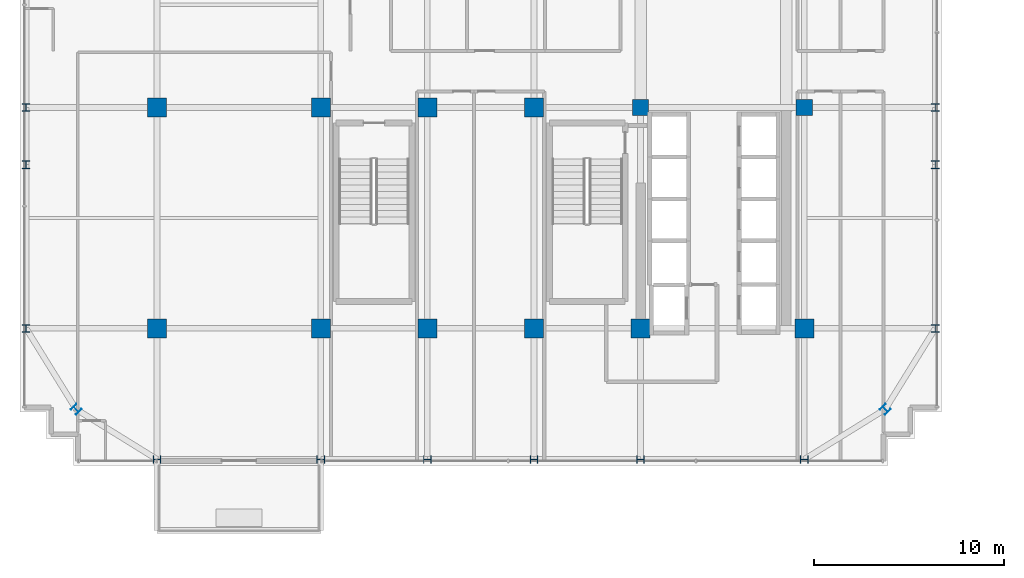
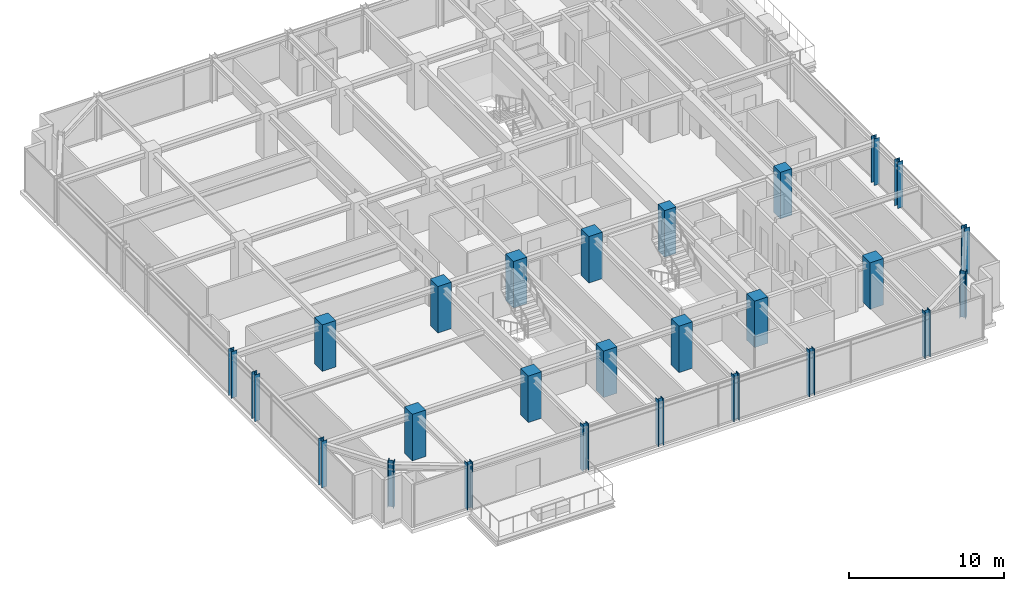
# One storey, part 1 of 36: 26 columns.
"""IFC4 building model written with IfcOpenShell, lengths in metres."""

from ifc_helpers import new_model, si_unit, direction, frame, origin, origin_2d, place, context, subcontext, project, spatial, rectangle, i_section, extrude, source, transform, mapped, material, material_profile, profile_set, type_object, element, save


model = new_model("IFC4")

# Units and contexts
model_context = context("Model", 3, precision=1e-05, world=origin(), true_north=direction((0.0, 1.0)))
body_context = subcontext(model_context, "Body", "Model", "MODEL_VIEW")
ifc_project = project(units=[si_unit("LENGTHUNIT", "METRE"), si_unit("AREAUNIT", "SQUARE_METRE"), si_unit("VOLUMEUNIT", "CUBIC_METRE"), si_unit("PLANEANGLEUNIT", "RADIAN"), si_unit("MASSUNIT", "GRAM", prefix="KILO")], contexts=[model_context])

# Site, building, storey
site_placement = place(None, origin())
site = spatial("IfcSite", under=ifc_project, at=site_placement, CompositionType="ELEMENT")
building_placement = place(site_placement, origin())
building = spatial("IfcBuilding", under=site, at=building_placement, Name="Nahalor Promenade Grand Hotel", CompositionType="ELEMENT")
storey_placement = place(building_placement, frame((0.0, 0.0, 223.39990234375)))
storey = spatial("IfcBuildingStorey", under=building, at=storey_placement, Name="L57", CompositionType="ELEMENT", Elevation=223.39990234375)

# Columns
ifc_material_1 = material(Name="Concrete B-60 (C50/60)", Category="concrete")
ifc_material_profile_1 = material_profile(ifc_material_1, rectangle(XDim=1.0, YDim=1.0, at=origin_2d()), Name="RC 1000x1000")
ifc_profile_set_1 = profile_set([ifc_material_profile_1], Name="Concrete B-60 (C50/60)")
column_type_1 = type_object("IfcColumnType", Name="Col-RC-1000", PredefinedType="COLUMN", material=ifc_profile_set_1)
shared_shape_1 = source(origin(), body_context, "Body", "SweptSolid", [
    extrude(rectangle(XDim=1.0, YDim=1.0, at=origin_2d()), origin(), (0.0, 0.0, 1.0), 3.655029296875),
])
for number, where, z_axis, x_axis, name in (
    (1, (-17.0, -17.0, 0.0), (0.0, 0.0, 1.0), (1.0, 0.0, 0.0), "COL-L57-I00"),
    (2, (-17.0, -5.39990234375, 0.0), (0.0, 0.0, 1.0), (1.0, 0.0, 0.0), "COL-L57-I01"),
    (3, (-8.39990234375, -17.0, 0.0), (0.0, 0.0, 1.0), (1.0, 0.0, 0.0), "COL-L57-I10"),
    (4, (-8.39990234375, -5.39990234375, 0.0), (0.0, 0.0, 1.0), (1.0, 0.0, 0.0), "COL-L57-I11"),
    (5, (-2.800048828125, -17.0, 0.0), (0.0, 0.0, 1.0), (1.0, 0.0, 0.0), "COL-L57-I20"),
    (6, (-2.800048828125, -5.39990234375, 0.0), (0.0, 0.0, 1.0), (1.0, 0.0, 0.0), "COL-L57-I21"),
    (7, (2.800048828125, -17.0, 0.0), (0.0, 0.0, 1.0), (1.0, 0.0, 0.0), "COL-L57-I30"),
    (8, (2.800048828125, -5.39990234375, 0.0), (0.0, 0.0, 1.0), (1.0, 0.0, 0.0), "COL-L57-I31"),
    (9, (8.39990234375, -17.0, 0.0), (0.0, 0.0, 1.0), (1.0, 0.0, 0.0), "COL-L57-I40"),
    (10, (17.0, -17.0, 0.0), (0.0, 0.0, 1.0), (1.0, 0.0, 0.0), "COL-L57-I50"),
):
    element("IfcColumn", number, at=place(storey_placement, frame(where, z_axis=z_axis, x_axis=x_axis)), inside=storey, type_object=column_type_1, Name=name, PredefinedType="COLUMN", context=body_context, shape_type="MappedRepresentation", body=[
        mapped(shared_shape_1, transform((0.0, 0.0, 0.0), scale=1.0)),
    ])
ifc_material_2 = material(Name="Concrete B-70 (C60/75)", Category="concrete")
ifc_material_profile_2 = material_profile(ifc_material_2, rectangle(XDim=0.85, YDim=0.85, at=origin_2d()), Name="RC 850x850")
ifc_profile_set_2 = profile_set([ifc_material_profile_2], Name="Concrete B-70 (C60/75)")
column_type_2 = type_object("IfcColumnType", Name="Col-Pilaster-850", PredefinedType="PILASTER", material=ifc_profile_set_2)
shared_shape_2 = source(origin(), body_context, "Body", "SweptSolid", [
    extrude(rectangle(XDim=0.85, YDim=0.85, at=origin_2d()), origin(), (0.0, 0.0, 1.0), 3.655029296875),
])
for number, where, z_axis, x_axis, name in (
    (11, (8.39990234375, -5.39990234375, 0.0), (0.0, 0.0, 1.0), (1.0, 0.0, 0.0), "COL-L57-I41"),
    (12, (17.0, -5.39990234375, 0.0), (0.0, 0.0, 1.0), (1.0, 0.0, 0.0), "COL-L57-I51"),
):
    element("IfcColumn", number, at=place(storey_placement, frame(where, z_axis=z_axis, x_axis=x_axis)), inside=storey, type_object=column_type_2, Name=name, PredefinedType="PILASTER", context=body_context, shape_type="MappedRepresentation", body=[
        mapped(shared_shape_2, transform((0.0, 0.0, 0.0), scale=1.0)),
    ])
ifc_material_3 = material(Name="Steel S355JR", Category="steel")
ifc_material_profile_3 = material_profile(ifc_material_3, i_section(OverallWidth=0.401, OverallDepth=0.406, WebThickness=0.0161, FlangeThickness=0.025, at=origin_2d()), Name="HD 400x314")
ifc_profile_set_3 = profile_set([ifc_material_profile_3], Name="Steel S355JR")
column_type_3 = type_object("IfcColumnType", Name="Col-Steel-HD314", PredefinedType="COLUMN", material=ifc_profile_set_3)
shared_shape_3 = source(origin(), body_context, "Body", "SweptSolid", [
    extrude(i_section(OverallWidth=0.401, OverallDepth=0.406, WebThickness=0.0161, FlangeThickness=0.025, at=origin_2d()), origin(), (0.0, 0.0, 1.0), 3.655029296875),
])
for number, where, z_axis, x_axis, name in (
    (13, (-23.8798828125, -17.0, 0.0), (0.0, 0.0, 1.0), (1.0, 0.0, 0.0), "COL-L57-PW-W0"),
    (14, (23.8798828125, -17.0, 0.0), (0.0, 0.0, 1.0), (1.0, 0.0, 0.0), "COL-L57-PW-E0"),
    (15, (-23.8798828125, -8.39990234375, 0.0), (0.0, 0.0, 1.0), (1.0, 0.0, 0.0), "COL-L57-PW-W1"),
    (16, (23.8798828125, -8.39990234375, 0.0), (0.0, 0.0, 1.0), (1.0, 0.0, 0.0), "COL-L57-PW-E1"),
    (17, (-23.8798828125, -5.39990234375, 0.0), (0.0, 0.0, 1.0), (1.0, 0.0, 0.0), "COL-L57-PW-W2"),
    (18, (23.8798828125, -5.39990234375, 0.0), (0.0, 0.0, 1.0), (1.0, 0.0, 0.0), "COL-L57-PW-E2"),
    (19, (-17.0, -23.8798828125, 0.0), (0.0, 0.0, 1.0), (0.0, 1.0, 0.0), "COL-L57-PN-S0"),
    (20, (-8.39990234375, -23.8798828125, 0.0), (0.0, 0.0, 1.0), (0.0, 1.0, 0.0), "COL-L57-PN-S1"),
    (21, (-2.800048828125, -23.8798828125, 0.0), (0.0, 0.0, 1.0), (0.0, 1.0, 0.0), "COL-L57-PN-S2"),
    (22, (2.800048828125, -23.8798828125, 0.0), (0.0, 0.0, 1.0), (0.0, 1.0, 0.0), "COL-L57-PN-S3"),
    (23, (8.39990234375, -23.8798828125, 0.0), (0.0, 0.0, 1.0), (0.0, 1.0, 0.0), "COL-L57-PN-S4"),
    (24, (17.0, -23.8798828125, 0.0), (0.0, 0.0, 1.0), (0.0, 1.0, 0.0), "COL-L57-PN-S5"),
    (25, (-21.25, -21.25, 0.0), (0.0, 0.0, 1.0), (0.707106781187, 0.707106781187, 0.0), "COL-L57-CRN-SW"),
    (26, (21.25, -21.25, 0.0), (0.0, 0.0, 1.0), (0.707106781187, 0.707106781187, 0.0), "COL-L57-CRN-SE"),
):
    element("IfcColumn", number, at=place(storey_placement, frame(where, z_axis=z_axis, x_axis=x_axis)), inside=storey, type_object=column_type_3, Name=name, PredefinedType="COLUMN", context=body_context, shape_type="MappedRepresentation", body=[
        mapped(shared_shape_3, transform((0.0, 0.0, 0.0), scale=1.0)),
    ])

save(model, "model.ifc")
